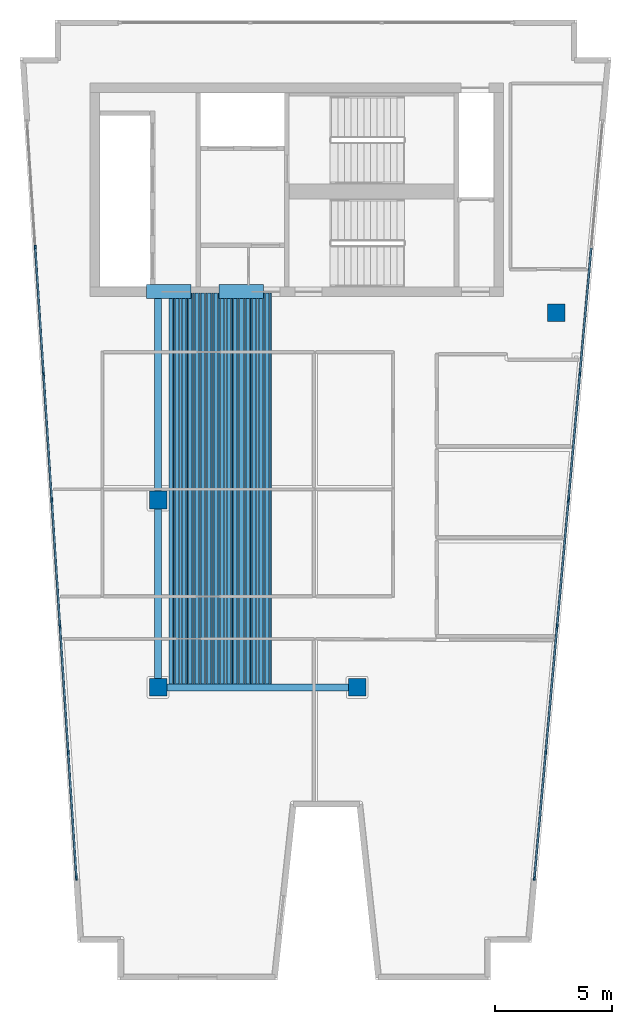
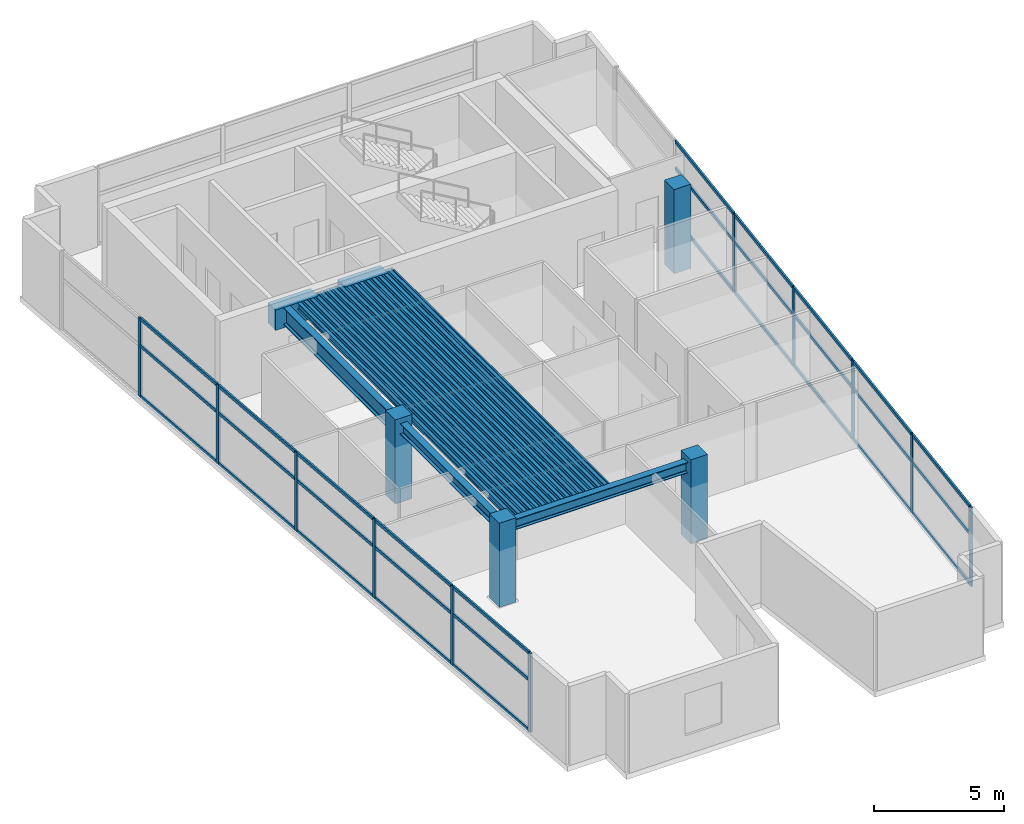
# One storey, part 1 of 7: 41 members, 37 beams, 4 columns, 2 elements without a shape of their own.
"""IFC4 building model written with IfcOpenShell, lengths in metres."""

from ifc_helpers import new_model, si_unit, direction, frame, origin, origin_2d, place, context, subcontext, project, spatial, rectangle, hollow_rectangle, i_section, extrude, material, layer, layer_set, material_profile, profile_set, type_object, element, aggregate, save


model = new_model("IFC4")

# Units and contexts
model_context = context("Model", 3, precision=1e-05, world=origin(), true_north=direction((0.0, 1.0)))
body_context = subcontext(model_context, "Body", "Model", "MODEL_VIEW")
ifc_project = project(units=[si_unit("LENGTHUNIT", "METRE"), si_unit("AREAUNIT", "SQUARE_METRE"), si_unit("VOLUMEUNIT", "CUBIC_METRE"), si_unit("PLANEANGLEUNIT", "RADIAN"), si_unit("MASSUNIT", "GRAM", prefix="KILO")], contexts=[model_context])

# Site, building, storey
site_placement = place(None, origin())
site = spatial("IfcSite", under=ifc_project, at=site_placement, CompositionType="ELEMENT")
building_placement = place(site_placement, origin())
building = spatial("IfcBuilding", under=site, at=building_placement, Name="Caeloran Harvest Quay", CompositionType="ELEMENT")
storey_placement = place(building_placement, frame((0.0, 0.0, 312.0)))
storey = spatial("IfcBuildingStorey", under=building, at=storey_placement, Name="L75", CompositionType="ELEMENT", Elevation=312.0)

# Columns
ifc_material_1 = material(Name="Concrete C60/75", Category="concrete")
ifc_material_profile_1 = material_profile(ifc_material_1, rectangle(XDim=0.75, YDim=0.75, at=origin_2d()), Name="RC 750x750")
ifc_profile_set_1 = profile_set([ifc_material_profile_1], Name="Concrete C60/75")
column_type = type_object("IfcColumnType", Name="COL-MC-5-RC_750x750", PredefinedType="COLUMN", material=ifc_profile_set_1)
for number, where, z_axis, x_axis, name in (
    (1, (8.5, 15.0, 0.0), (0.0, 0.0, 1.0), (1.0, 0.0, 0.0), "L75 Structural Column (8.5, 15.0)"),
    (2, (8.5, 23.0, 0.0), (0.0, 0.0, 1.0), (1.0, 0.0, 0.0), "L75 Structural Column (8.5, 23.0)"),
    (3, (17.0, 15.0, 0.0), (0.0, 0.0, 1.0), (1.0, 0.0, 0.0), "L75 Structural Column (17.0, 15.0)"),
    (4, (25.5, 31.0, 0.0), (0.0, 0.0, 1.0), (1.0, 0.0, 0.0), "L75 Structural Column (25.5, 31.0)"),
):
    element("IfcColumn", number, at=place(storey_placement, frame(where, z_axis=z_axis, x_axis=x_axis)), inside=storey, type_object=column_type, Name=name, PredefinedType="COLUMN", context=body_context, shape_type="SweptSolid", body=[
        extrude(rectangle(XDim=0.75, YDim=0.75, at=origin_2d()), origin(), (0.0, 0.0, 1.0), 3.949951171875),
    ])

# Beams
ifc_material_profile_2 = material_profile(ifc_material_1, rectangle(XDim=0.60009765625, YDim=0.949951171875, at=origin_2d()), Name="RC 600x950")
ifc_profile_set_2 = profile_set([ifc_material_profile_2], Name="Concrete C60/75")
beam_type_1 = type_object("IfcBeamType", Name="BM-CB-2-RC_600x950", PredefinedType="LINTEL", material=ifc_profile_set_2)
for number, where, z_axis, x_axis, name in (
    (5, (8.0, 31.89990234375, 3.22509765625), (1.0, 0.0, 0.0), (0.0, 1.0, 0.0), "L75 Core Coupling Beam 1"),
    (6, (11.10009765625, 31.89990234375, 3.22509765625), (1.0, 0.0, 0.0), (0.0, 1.0, 0.0), "L75 Core Coupling Beam 2"),
):
    element("IfcBeam", number, at=place(storey_placement, frame(where, z_axis=z_axis, x_axis=x_axis)), inside=storey, type_object=beam_type_1, Name=name, PredefinedType="LINTEL", context=body_context, shape_type="SweptSolid", body=[
        extrude(rectangle(XDim=0.60009765625, YDim=0.949951171875, at=origin_2d()), origin(), (0.0, 0.0, 1.0), 1.89990234375),
    ])
ifc_material_2 = material(Name="Steel S355J2", Category="steel")
ifc_material_profile_3 = material_profile(ifc_material_2, i_section(OverallWidth=0.300048828125, OverallDepth=0.800048828125, WebThickness=0.017578125, FlangeThickness=0.032958984375, FilletRadius=0.030029296875, at=origin_2d()), Name="HE 800 B")
ifc_profile_set_3 = profile_set([ifc_material_profile_3], Name="Steel S355J2")
beam_type_2 = type_object("IfcBeamType", Name="BM-PG-1-HE_800_B", PredefinedType="BEAM", material=ifc_profile_set_3)
beam_1_placement = place(storey_placement, frame((8.5, 23.0, 3.300048828125), z_axis=(0.0, 1.0, 0.0), x_axis=(-1.0, 0.0, 0.0)))
element("IfcBeam", 7, at=beam_1_placement, inside=storey, type_object=beam_type_2, Name="L75 Core South Tie Girder X=8.5", PredefinedType="BEAM", context=body_context, shape_type="SweptSolid", body=[
    extrude(i_section(OverallWidth=0.300048828125, OverallDepth=0.800048828125, WebThickness=0.017578125, FlangeThickness=0.032958984375, FilletRadius=0.030029296875, at=origin_2d()), origin(), (0.0, 0.0, 1.0), 8.85009765625),
])
ifc_material_profile_4 = material_profile(ifc_material_2, i_section(OverallWidth=0.300048828125, OverallDepth=0.5, WebThickness=0.014404296875, FlangeThickness=0.028076171875, FilletRadius=0.027099609375, at=origin_2d()), Name="HE 500 B")
ifc_profile_set_4 = profile_set([ifc_material_profile_4], Name="Steel S355J2")
beam_type_3 = type_object("IfcBeamType", Name="BM-PG-4-HE_500_B", PredefinedType="BEAM", material=ifc_profile_set_4)
beam_2_placement = place(storey_placement, frame((8.5, 15.0, 3.449951171875), z_axis=(1.0, 0.0, 0.0), x_axis=(0.0, 1.0, 0.0)))
element("IfcBeam", 8, at=beam_2_placement, inside=storey, type_object=beam_type_3, Name="L75 Primary East-West Girder Y=15.0", PredefinedType="BEAM", context=body_context, shape_type="SweptSolid", body=[
    extrude(i_section(OverallWidth=0.300048828125, OverallDepth=0.5, WebThickness=0.014404296875, FlangeThickness=0.028076171875, FilletRadius=0.027099609375, at=origin_2d()), origin(), (0.0, 0.0, 1.0), 8.5),
])
beam_3_placement = place(storey_placement, frame((8.5, 15.0, 3.449951171875), z_axis=(0.0, 1.0, 0.0), x_axis=(-1.0, 0.0, 0.0)))
element("IfcBeam", 9, at=beam_3_placement, inside=storey, type_object=beam_type_3, Name="L75 Primary North-South Girder X=8.5", PredefinedType="BEAM", context=body_context, shape_type="SweptSolid", body=[
    extrude(i_section(OverallWidth=0.300048828125, OverallDepth=0.5, WebThickness=0.014404296875, FlangeThickness=0.028076171875, FilletRadius=0.027099609375, at=origin_2d()), origin(), (0.0, 0.0, 1.0), 8.0),
])
ifc_material_profile_5 = material_profile(ifc_material_2, i_section(OverallWidth=0.14990234375, OverallDepth=0.300048828125, WebThickness=0.007080078125, FlangeThickness=0.0107421875, FilletRadius=0.014892578125, at=origin_2d()), Name="IPE 300")
ifc_profile_set_5 = profile_set([ifc_material_profile_5], Name="Steel S355J2")
beam_type_4 = type_object("IfcBeamType", Name="BM-SB-6-IPE_300", PredefinedType="JOIST", material=ifc_profile_set_5)
for number, where, z_axis, x_axis, name in (
    (10, (9.04833984375, 15.14501953125, 3.550048828125), (0.0, 1.0, 0.0), (-1.0, 0.0, 0.0), "L75 Secondary Composite Joist"),
    (11, (9.322509765625, 15.14501953125, 3.550048828125), (0.0, 1.0, 0.0), (-1.0, 0.0, 0.0), "L75 Secondary Composite Joist"),
    (12, (9.5966796875, 15.14501953125, 3.550048828125), (0.0, 1.0, 0.0), (-1.0, 0.0, 0.0), "L75 Secondary Composite Joist"),
    (13, (9.87109375, 15.14501953125, 3.550048828125), (0.0, 1.0, 0.0), (-1.0, 0.0, 0.0), "L75 Secondary Composite Joist"),
    (14, (10.145263671875, 15.14501953125, 3.550048828125), (0.0, 1.0, 0.0), (-1.0, 0.0, 0.0), "L75 Secondary Composite Joist"),
    (15, (10.41943359375, 15.14501953125, 3.550048828125), (0.0, 1.0, 0.0), (-1.0, 0.0, 0.0), "L75 Secondary Composite Joist"),
    (16, (10.693603515625, 15.14501953125, 3.550048828125), (0.0, 1.0, 0.0), (-1.0, 0.0, 0.0), "L75 Secondary Composite Joist"),
    (17, (10.9677734375, 15.14501953125, 3.550048828125), (0.0, 1.0, 0.0), (-1.0, 0.0, 0.0), "L75 Secondary Composite Joist"),
    (18, (11.241943359375, 15.14501953125, 3.550048828125), (0.0, 1.0, 0.0), (-1.0, 0.0, 0.0), "L75 Secondary Composite Joist"),
    (19, (11.51611328125, 15.14501953125, 3.550048828125), (0.0, 1.0, 0.0), (-1.0, 0.0, 0.0), "L75 Secondary Composite Joist"),
    (20, (11.790283203125, 15.14501953125, 3.550048828125), (0.0, 1.0, 0.0), (-1.0, 0.0, 0.0), "L75 Secondary Composite Joist"),
    (21, (12.064453125, 15.14501953125, 3.550048828125), (0.0, 1.0, 0.0), (-1.0, 0.0, 0.0), "L75 Secondary Composite Joist"),
    (22, (12.338623046875, 15.14501953125, 3.550048828125), (0.0, 1.0, 0.0), (-1.0, 0.0, 0.0), "L75 Secondary Composite Joist"),
    (23, (12.61279296875, 15.14501953125, 3.550048828125), (0.0, 1.0, 0.0), (-1.0, 0.0, 0.0), "L75 Secondary Composite Joist"),
    (24, (12.88720703125, 15.14501953125, 3.550048828125), (0.0, 1.0, 0.0), (-1.0, 0.0, 0.0), "L75 Secondary Composite Joist"),
    (25, (13.161376953125, 15.14501953125, 3.550048828125), (0.0, 1.0, 0.0), (-1.0, 0.0, 0.0), "L75 Secondary Composite Joist"),
):
    element("IfcBeam", number, at=place(storey_placement, frame(where, z_axis=z_axis, x_axis=x_axis)), inside=storey, type_object=beam_type_4, Name=name, PredefinedType="JOIST", context=body_context, shape_type="SweptSolid", body=[
        extrude(i_section(OverallWidth=0.14990234375, OverallDepth=0.300048828125, WebThickness=0.007080078125, FlangeThickness=0.0107421875, FilletRadius=0.014892578125, at=origin_2d()), origin(), (0.0, 0.0, 1.0), 16.705078125),
    ])
ifc_material_profile_6 = material_profile(ifc_material_2, hollow_rectangle(XDim=0.080078125, YDim=0.199951171875, WallThickness=0.006103515625, InnerFilletRadius=0.006103515625, OuterFilletRadius=0.009033203125, at=origin_2d()), Name="RHS 200x80x6")
ifc_profile_set_6 = profile_set([ifc_material_profile_6], Name="Steel S355J2")
beam_type_5 = type_object("IfcBeamType", Name="BM-SB-7-RHS_200x80x6", PredefinedType="JOIST", material=ifc_profile_set_6)
for number, where, z_axis, x_axis, name in (
    (26, (9.185546875, 15.14501953125, 3.60009765625), (0.0, 1.0, 0.0), (-1.0, 0.0, 0.0), "L75 Secondary Composite Joist"),
    (27, (9.459716796875, 15.14501953125, 3.60009765625), (0.0, 1.0, 0.0), (-1.0, 0.0, 0.0), "L75 Secondary Composite Joist"),
    (28, (9.73388671875, 15.14501953125, 3.60009765625), (0.0, 1.0, 0.0), (-1.0, 0.0, 0.0), "L75 Secondary Composite Joist"),
    (29, (10.008056640625, 15.14501953125, 3.60009765625), (0.0, 1.0, 0.0), (-1.0, 0.0, 0.0), "L75 Secondary Composite Joist"),
    (30, (10.2822265625, 15.14501953125, 3.60009765625), (0.0, 1.0, 0.0), (-1.0, 0.0, 0.0), "L75 Secondary Composite Joist"),
    (31, (10.556396484375, 15.14501953125, 3.60009765625), (0.0, 1.0, 0.0), (-1.0, 0.0, 0.0), "L75 Secondary Composite Joist"),
    (32, (10.83056640625, 15.14501953125, 3.60009765625), (0.0, 1.0, 0.0), (-1.0, 0.0, 0.0), "L75 Secondary Composite Joist"),
    (33, (11.104736328125, 15.14501953125, 3.60009765625), (0.0, 1.0, 0.0), (-1.0, 0.0, 0.0), "L75 Secondary Composite Joist"),
    (34, (11.37890625, 15.14501953125, 3.60009765625), (0.0, 1.0, 0.0), (-1.0, 0.0, 0.0), "L75 Secondary Composite Joist"),
    (35, (11.6533203125, 15.14501953125, 3.60009765625), (0.0, 1.0, 0.0), (-1.0, 0.0, 0.0), "L75 Secondary Composite Joist"),
    (36, (11.927490234375, 15.14501953125, 3.60009765625), (0.0, 1.0, 0.0), (-1.0, 0.0, 0.0), "L75 Secondary Composite Joist"),
    (37, (12.20166015625, 15.14501953125, 3.60009765625), (0.0, 1.0, 0.0), (-1.0, 0.0, 0.0), "L75 Secondary Composite Joist"),
    (38, (12.475830078125, 15.14501953125, 3.60009765625), (0.0, 1.0, 0.0), (-1.0, 0.0, 0.0), "L75 Secondary Composite Joist"),
    (39, (12.75, 15.14501953125, 3.60009765625), (0.0, 1.0, 0.0), (-1.0, 0.0, 0.0), "L75 Secondary Composite Joist"),
    (40, (13.024169921875, 15.14501953125, 3.60009765625), (0.0, 1.0, 0.0), (-1.0, 0.0, 0.0), "L75 Secondary Composite Joist"),
    (41, (13.29833984375, 15.14501953125, 3.60009765625), (0.0, 1.0, 0.0), (-1.0, 0.0, 0.0), "L75 Secondary Composite Joist"),
):
    element("IfcBeam", number, at=place(storey_placement, frame(where, z_axis=z_axis, x_axis=x_axis)), inside=storey, type_object=beam_type_5, Name=name, PredefinedType="JOIST", context=body_context, shape_type="SweptSolid", body=[
        extrude(hollow_rectangle(XDim=0.080078125, YDim=0.199951171875, WallThickness=0.006103515625, InnerFilletRadius=0.006103515625, OuterFilletRadius=0.009033203125, at=origin_2d()), origin(), (0.0, 0.0, 1.0), 16.705078125),
    ])

# Curtain wall, members
ifc_material_3 = material(Name="Aluminium 6063-T6 and Low-E Glazing", Category="aluminium")
ifc_layer = layer(ifc_material_3, 0.239990234375, Name="Aluminium 6063-T6 and Low-E Glazing")
ifc_layer_set = layer_set([ifc_layer], Name="Aluminium 6063-T6 and Low-E Glazing")
curtain_wall_type = type_object("IfcCurtainWallType", Name="CW-SYS-CW-7", PredefinedType="USERDEFINED", material=ifc_layer_set)
curtain_wall_1_placement = place(storey_placement, origin())
curtain_wall_1 = element("IfcCurtainWall", 42, at=curtain_wall_1_placement, inside=storey, type_object=curtain_wall_type, Name="L75 Unitised Curtain Wall CW-7 Run 3", ObjectType="CURTAIN_WALL", PredefinedType="USERDEFINED")
ifc_material_4 = material(Name="Aluminium 6063-T6", Category="aluminium")
ifc_material_profile_7 = material_profile(ifc_material_4, rectangle(XDim=0.080078125, YDim=0.179931640625, at=origin_2d()), Name="CW-MULLION-180")
ifc_profile_set_7 = profile_set([ifc_material_profile_7], Name="Aluminium 6063-T6")
member_type_1 = type_object("IfcMemberType", Name="CW-MULLION-180", PredefinedType="MULLION", material=ifc_profile_set_7)
member_1_placement = place(storey_placement, frame((5.013427734375, 6.8544921875, 0.0), z_axis=(0.0, 0.0, 1.0), x_axis=(-0.997874401106, -0.065166552901, 0.0)))
member_1 = element("IfcMember", 43, at=member_1_placement, type_object=member_type_1, Name="CW-7 mullion 1", PredefinedType="MULLION", context=body_context, shape_type="SweptSolid", body=[
    extrude(rectangle(XDim=0.080078125, YDim=0.179931640625, at=origin_2d()), origin(), (0.0, 0.0, 1.0), 3.699951171875),
])
member_2_placement = place(storey_placement, frame((4.66357421875, 12.209716796875, 0.0), z_axis=(0.0, 0.0, 1.0), x_axis=(-0.997874401106, -0.065166552901, 0.0)))
member_2 = element("IfcMember", 44, at=member_2_placement, type_object=member_type_1, Name="CW-7 mullion 2", PredefinedType="MULLION", context=body_context, shape_type="SweptSolid", body=[
    extrude(rectangle(XDim=0.080078125, YDim=0.179931640625, at=origin_2d()), origin(), (0.0, 0.0, 1.0), 3.699951171875),
])
member_3_placement = place(storey_placement, frame((4.311279296875, 17.604736328125, 0.0), z_axis=(0.0, 0.0, 1.0), x_axis=(-0.997874401106, -0.065166552901, 0.0)))
member_3 = element("IfcMember", 45, at=member_3_placement, type_object=member_type_1, Name="CW-7 mullion 3", PredefinedType="MULLION", context=body_context, shape_type="SweptSolid", body=[
    extrude(rectangle(XDim=0.080078125, YDim=0.179931640625, at=origin_2d()), origin(), (0.0, 0.0, 1.0), 3.699951171875),
])
member_4_placement = place(storey_placement, frame((3.958984375, 23.0, 0.0), z_axis=(0.0, 0.0, 1.0), x_axis=(-0.997874401106, -0.065166552901, 0.0)))
member_4 = element("IfcMember", 46, at=member_4_placement, type_object=member_type_1, Name="CW-7 mullion 4", PredefinedType="MULLION", context=body_context, shape_type="SweptSolid", body=[
    extrude(rectangle(XDim=0.080078125, YDim=0.179931640625, at=origin_2d()), origin(), (0.0, 0.0, 1.0), 3.699951171875),
])
member_5_placement = place(storey_placement, frame((3.606689453125, 28.395263671875, 0.0), z_axis=(0.0, 0.0, 1.0), x_axis=(-0.997874401106, -0.065166552901, 0.0)))
member_5 = element("IfcMember", 47, at=member_5_placement, type_object=member_type_1, Name="CW-7 mullion 5", PredefinedType="MULLION", context=body_context, shape_type="SweptSolid", body=[
    extrude(rectangle(XDim=0.080078125, YDim=0.179931640625, at=origin_2d()), origin(), (0.0, 0.0, 1.0), 3.699951171875),
])
member_6_placement = place(storey_placement, frame((3.25439453125, 33.790283203125, 0.0), z_axis=(0.0, 0.0, 1.0), x_axis=(-0.997874401106, -0.065166552901, 0.0)))
member_6 = element("IfcMember", 48, at=member_6_placement, type_object=member_type_1, Name="CW-7 mullion 6", PredefinedType="MULLION", context=body_context, shape_type="SweptSolid", body=[
    extrude(rectangle(XDim=0.080078125, YDim=0.179931640625, at=origin_2d()), origin(), (0.0, 0.0, 1.0), 3.699951171875),
])

curtain_wall_2_placement = place(storey_placement, origin())
curtain_wall_2 = element("IfcCurtainWall", 49, at=curtain_wall_2_placement, inside=storey, type_object=curtain_wall_type, Name="L75 Unitised Curtain Wall CW-7 Run 9", ObjectType="CURTAIN_WALL", PredefinedType="USERDEFINED")
member_7_placement = place(storey_placement, frame((26.517578125, 28.396728515625, 0.0), z_axis=(0.0, 0.0, 1.0), x_axis=(0.995957918918, -0.089821065146, 0.0)))
member_7 = element("IfcMember", 50, at=member_7_placement, type_object=member_type_1, Name="CW-7 mullion 3", PredefinedType="MULLION", context=body_context, shape_type="SweptSolid", body=[
    extrude(rectangle(XDim=0.080078125, YDim=0.179931640625, at=origin_2d()), origin(), (0.0, 0.0, 1.0), 3.699951171875),
])
member_8_placement = place(storey_placement, frame((26.03076171875, 23.0, 0.0), z_axis=(0.0, 0.0, 1.0), x_axis=(0.995957918918, -0.089821065146, 0.0)))
member_8 = element("IfcMember", 51, at=member_8_placement, type_object=member_type_1, Name="CW-7 mullion 4", PredefinedType="MULLION", context=body_context, shape_type="SweptSolid", body=[
    extrude(rectangle(XDim=0.080078125, YDim=0.179931640625, at=origin_2d()), origin(), (0.0, 0.0, 1.0), 3.699951171875),
])
member_9_placement = place(storey_placement, frame((25.5439453125, 17.603271484375, 0.0), z_axis=(0.0, 0.0, 1.0), x_axis=(0.995957918918, -0.089821065146, 0.0)))
member_9 = element("IfcMember", 52, at=member_9_placement, type_object=member_type_1, Name="CW-7 mullion 5", PredefinedType="MULLION", context=body_context, shape_type="SweptSolid", body=[
    extrude(rectangle(XDim=0.080078125, YDim=0.179931640625, at=origin_2d()), origin(), (0.0, 0.0, 1.0), 3.699951171875),
])
member_10_placement = place(storey_placement, frame((25.057373046875, 12.206298828125, 0.0), z_axis=(0.0, 0.0, 1.0), x_axis=(0.995957918918, -0.089821065146, 0.0)))
member_10 = element("IfcMember", 53, at=member_10_placement, type_object=member_type_1, Name="CW-7 mullion 6", PredefinedType="MULLION", context=body_context, shape_type="SweptSolid", body=[
    extrude(rectangle(XDim=0.080078125, YDim=0.179931640625, at=origin_2d()), origin(), (0.0, 0.0, 1.0), 3.699951171875),
])
member_11_placement = place(storey_placement, frame((24.57421875, 6.849365234375, 0.0), z_axis=(0.0, 0.0, 1.0), x_axis=(0.995957918918, -0.089821065146, 0.0)))
member_11 = element("IfcMember", 54, at=member_11_placement, type_object=member_type_1, Name="CW-7 mullion 7", PredefinedType="MULLION", context=body_context, shape_type="SweptSolid", body=[
    extrude(rectangle(XDim=0.080078125, YDim=0.179931640625, at=origin_2d()), origin(), (0.0, 0.0, 1.0), 3.699951171875),
])

# Member
ifc_material_profile_8 = material_profile(ifc_material_4, rectangle(XDim=0.080078125, YDim=0.14990234375, at=origin_2d()), Name="CW-TRANSOM-150")
ifc_profile_set_8 = profile_set([ifc_material_profile_8], Name="Aluminium 6063-T6")
member_type_2 = type_object("IfcMemberType", Name="CW-TRANSOM-150", PredefinedType="USERDEFINED", material=ifc_profile_set_8)
member_12_placement = place(storey_placement, frame((5.0107421875, 6.894287109375, 0.0400390625), z_axis=(-0.065161110765, 0.997874756492, 0.0), x_axis=(-0.997874756492, -0.065161110765, 0.0)))
member_12 = element("IfcMember", 55, at=member_12_placement, type_object=member_type_2, Name="CW-7 transom 1.1", ObjectType="TRANSOM", PredefinedType="USERDEFINED", context=body_context, shape_type="SweptSolid", body=[
    extrude(rectangle(XDim=0.080078125, YDim=0.14990234375, at=origin_2d()), origin(), (0.0, 0.0, 1.0), 5.28662109375),
])

member_13_placement = place(storey_placement, frame((5.0107421875, 6.894287109375, 2.39990234375), z_axis=(-0.065161110765, 0.997874756492, 0.0), x_axis=(-0.997874756492, -0.065161110765, 0.0)))
member_13 = element("IfcMember", 56, at=member_13_placement, type_object=member_type_2, Name="CW-7 transom 1.2", ObjectType="TRANSOM", PredefinedType="USERDEFINED", context=body_context, shape_type="SweptSolid", body=[
    extrude(rectangle(XDim=0.080078125, YDim=0.14990234375, at=origin_2d()), origin(), (0.0, 0.0, 1.0), 5.28662109375),
])

member_14_placement = place(storey_placement, frame((5.0107421875, 6.894287109375, 3.659912109375), z_axis=(-0.065161110765, 0.997874756492, 0.0), x_axis=(-0.997874756492, -0.065161110765, 0.0)))
member_14 = element("IfcMember", 57, at=member_14_placement, type_object=member_type_2, Name="CW-7 transom 1.3", ObjectType="TRANSOM", PredefinedType="USERDEFINED", context=body_context, shape_type="SweptSolid", body=[
    extrude(rectangle(XDim=0.080078125, YDim=0.14990234375, at=origin_2d()), origin(), (0.0, 0.0, 1.0), 5.28662109375),
])

member_15_placement = place(storey_placement, frame((4.6611328125, 12.24951171875, 0.0400390625), z_axis=(-0.065174383207, 0.997873889714, 0.0), x_axis=(-0.997873889714, -0.065174383207, 0.0)))
member_15 = element("IfcMember", 58, at=member_15_placement, type_object=member_type_2, Name="CW-7 transom 2.1", ObjectType="TRANSOM", PredefinedType="USERDEFINED", context=body_context, shape_type="SweptSolid", body=[
    extrude(rectangle(XDim=0.080078125, YDim=0.14990234375, at=origin_2d()), origin(), (0.0, 0.0, 1.0), 5.32666015625),
])

member_16_placement = place(storey_placement, frame((4.6611328125, 12.24951171875, 2.39990234375), z_axis=(-0.065174383207, 0.997873889714, 0.0), x_axis=(-0.997873889714, -0.065174383207, 0.0)))
member_16 = element("IfcMember", 59, at=member_16_placement, type_object=member_type_2, Name="CW-7 transom 2.2", ObjectType="TRANSOM", PredefinedType="USERDEFINED", context=body_context, shape_type="SweptSolid", body=[
    extrude(rectangle(XDim=0.080078125, YDim=0.14990234375, at=origin_2d()), origin(), (0.0, 0.0, 1.0), 5.32666015625),
])

member_17_placement = place(storey_placement, frame((4.6611328125, 12.24951171875, 3.659912109375), z_axis=(-0.065174383207, 0.997873889714, 0.0), x_axis=(-0.997873889714, -0.065174383207, 0.0)))
member_17 = element("IfcMember", 60, at=member_17_placement, type_object=member_type_2, Name="CW-7 transom 2.3", ObjectType="TRANSOM", PredefinedType="USERDEFINED", context=body_context, shape_type="SweptSolid", body=[
    extrude(rectangle(XDim=0.080078125, YDim=0.14990234375, at=origin_2d()), origin(), (0.0, 0.0, 1.0), 5.32666015625),
])

member_18_placement = place(storey_placement, frame((4.308837890625, 17.644775390625, 0.0400390625), z_axis=(-0.065174383207, 0.997873889714, 0.0), x_axis=(-0.997873889714, -0.065174383207, 0.0)))
member_18 = element("IfcMember", 61, at=member_18_placement, type_object=member_type_2, Name="CW-7 transom 3.1", ObjectType="TRANSOM", PredefinedType="USERDEFINED", context=body_context, shape_type="SweptSolid", body=[
    extrude(rectangle(XDim=0.080078125, YDim=0.14990234375, at=origin_2d()), origin(), (0.0, 0.0, 1.0), 5.32666015625),
])

member_19_placement = place(storey_placement, frame((4.308837890625, 17.644775390625, 2.39990234375), z_axis=(-0.065174383207, 0.997873889714, 0.0), x_axis=(-0.997873889714, -0.065174383207, 0.0)))
member_19 = element("IfcMember", 62, at=member_19_placement, type_object=member_type_2, Name="CW-7 transom 3.2", ObjectType="TRANSOM", PredefinedType="USERDEFINED", context=body_context, shape_type="SweptSolid", body=[
    extrude(rectangle(XDim=0.080078125, YDim=0.14990234375, at=origin_2d()), origin(), (0.0, 0.0, 1.0), 5.32666015625),
])

member_20_placement = place(storey_placement, frame((4.308837890625, 17.644775390625, 3.659912109375), z_axis=(-0.065174383207, 0.997873889714, 0.0), x_axis=(-0.997873889714, -0.065174383207, 0.0)))
member_20 = element("IfcMember", 63, at=member_20_placement, type_object=member_type_2, Name="CW-7 transom 3.3", ObjectType="TRANSOM", PredefinedType="USERDEFINED", context=body_context, shape_type="SweptSolid", body=[
    extrude(rectangle(XDim=0.080078125, YDim=0.14990234375, at=origin_2d()), origin(), (0.0, 0.0, 1.0), 5.32666015625),
])

member_21_placement = place(storey_placement, frame((3.956298828125, 23.039794921875, 0.0400390625), z_axis=(-0.065128744787, 0.99787686946, 0.0), x_axis=(-0.99787686946, -0.065128744787, 0.0)))
member_21 = element("IfcMember", 64, at=member_21_placement, type_object=member_type_2, Name="CW-7 transom 4.1", ObjectType="TRANSOM", PredefinedType="USERDEFINED", context=body_context, shape_type="SweptSolid", body=[
    extrude(rectangle(XDim=0.080078125, YDim=0.14990234375, at=origin_2d()), origin(), (0.0, 0.0, 1.0), 5.32666015625),
])

member_22_placement = place(storey_placement, frame((3.956298828125, 23.039794921875, 2.39990234375), z_axis=(-0.065128744787, 0.99787686946, 0.0), x_axis=(-0.99787686946, -0.065128744787, 0.0)))
member_22 = element("IfcMember", 65, at=member_22_placement, type_object=member_type_2, Name="CW-7 transom 4.2", ObjectType="TRANSOM", PredefinedType="USERDEFINED", context=body_context, shape_type="SweptSolid", body=[
    extrude(rectangle(XDim=0.080078125, YDim=0.14990234375, at=origin_2d()), origin(), (0.0, 0.0, 1.0), 5.32666015625),
])

member_23_placement = place(storey_placement, frame((3.956298828125, 23.039794921875, 3.659912109375), z_axis=(-0.065128744787, 0.99787686946, 0.0), x_axis=(-0.99787686946, -0.065128744787, 0.0)))
member_23 = element("IfcMember", 66, at=member_23_placement, type_object=member_type_2, Name="CW-7 transom 4.3", ObjectType="TRANSOM", PredefinedType="USERDEFINED", context=body_context, shape_type="SweptSolid", body=[
    extrude(rectangle(XDim=0.080078125, YDim=0.14990234375, at=origin_2d()), origin(), (0.0, 0.0, 1.0), 5.32666015625),
])

member_24_placement = place(storey_placement, frame((3.60400390625, 28.43505859375, 0.0400390625), z_axis=(-0.065174383207, 0.997873889714, 0.0), x_axis=(-0.997873889714, -0.065174383207, 0.0)))
member_24 = element("IfcMember", 67, at=member_24_placement, type_object=member_type_2, Name="CW-7 transom 5.1", ObjectType="TRANSOM", PredefinedType="USERDEFINED", context=body_context, shape_type="SweptSolid", body=[
    extrude(rectangle(XDim=0.080078125, YDim=0.14990234375, at=origin_2d()), origin(), (0.0, 0.0, 1.0), 5.32666015625),
])

member_25_placement = place(storey_placement, frame((3.60400390625, 28.43505859375, 2.39990234375), z_axis=(-0.065174383207, 0.997873889714, 0.0), x_axis=(-0.997873889714, -0.065174383207, 0.0)))
member_25 = element("IfcMember", 68, at=member_25_placement, type_object=member_type_2, Name="CW-7 transom 5.2", ObjectType="TRANSOM", PredefinedType="USERDEFINED", context=body_context, shape_type="SweptSolid", body=[
    extrude(rectangle(XDim=0.080078125, YDim=0.14990234375, at=origin_2d()), origin(), (0.0, 0.0, 1.0), 5.32666015625),
])

member_26_placement = place(storey_placement, frame((3.60400390625, 28.43505859375, 3.659912109375), z_axis=(-0.065174383207, 0.997873889714, 0.0), x_axis=(-0.997873889714, -0.065174383207, 0.0)))
member_26 = element("IfcMember", 69, at=member_26_placement, type_object=member_type_2, Name="CW-7 transom 5.3", ObjectType="TRANSOM", PredefinedType="USERDEFINED", context=body_context, shape_type="SweptSolid", body=[
    extrude(rectangle(XDim=0.080078125, YDim=0.14990234375, at=origin_2d()), origin(), (0.0, 0.0, 1.0), 5.32666015625),
])

aggregate(curtain_wall_1, [member_1, member_2, member_3, member_4, member_5, member_6, member_12, member_13, member_14, member_15, member_16, member_17, member_18, member_19, member_20, member_21, member_22, member_23, member_24, member_25, member_26])

member_27_placement = place(storey_placement, frame((27.00048828125, 33.75390625, 0.0400390625), z_axis=(-0.089814159323, -0.9959585417, 0.0), x_axis=(0.9959585417, -0.089814159323, 0.0)))
member_27 = element("IfcMember", 70, at=member_27_placement, type_object=member_type_2, Name="CW-7 transom 2.1", ObjectType="TRANSOM", PredefinedType="USERDEFINED", context=body_context, shape_type="SweptSolid", body=[
    extrude(rectangle(XDim=0.080078125, YDim=0.14990234375, at=origin_2d()), origin(), (0.0, 0.0, 1.0), 5.338623046875),
])

member_28_placement = place(storey_placement, frame((27.00048828125, 33.75390625, 2.39990234375), z_axis=(-0.089814159323, -0.9959585417, 0.0), x_axis=(0.9959585417, -0.089814159323, 0.0)))
member_28 = element("IfcMember", 71, at=member_28_placement, type_object=member_type_2, Name="CW-7 transom 2.2", ObjectType="TRANSOM", PredefinedType="USERDEFINED", context=body_context, shape_type="SweptSolid", body=[
    extrude(rectangle(XDim=0.080078125, YDim=0.14990234375, at=origin_2d()), origin(), (0.0, 0.0, 1.0), 5.338623046875),
])

member_29_placement = place(storey_placement, frame((27.00048828125, 33.75390625, 3.659912109375), z_axis=(-0.089814159323, -0.9959585417, 0.0), x_axis=(0.9959585417, -0.089814159323, 0.0)))
member_29 = element("IfcMember", 72, at=member_29_placement, type_object=member_type_2, Name="CW-7 transom 2.3", ObjectType="TRANSOM", PredefinedType="USERDEFINED", context=body_context, shape_type="SweptSolid", body=[
    extrude(rectangle(XDim=0.080078125, YDim=0.14990234375, at=origin_2d()), origin(), (0.0, 0.0, 1.0), 5.338623046875),
])

member_30_placement = place(storey_placement, frame((26.513916015625, 28.35693359375, 0.0400390625), z_axis=(-0.089814159323, -0.9959585417, 0.0), x_axis=(0.9959585417, -0.089814159323, 0.0)))
member_30 = element("IfcMember", 73, at=member_30_placement, type_object=member_type_2, Name="CW-7 transom 3.1", ObjectType="TRANSOM", PredefinedType="USERDEFINED", context=body_context, shape_type="SweptSolid", body=[
    extrude(rectangle(XDim=0.080078125, YDim=0.14990234375, at=origin_2d()), origin(), (0.0, 0.0, 1.0), 5.338623046875),
])

member_31_placement = place(storey_placement, frame((26.513916015625, 28.35693359375, 2.39990234375), z_axis=(-0.089814159323, -0.9959585417, 0.0), x_axis=(0.9959585417, -0.089814159323, 0.0)))
member_31 = element("IfcMember", 74, at=member_31_placement, type_object=member_type_2, Name="CW-7 transom 3.2", ObjectType="TRANSOM", PredefinedType="USERDEFINED", context=body_context, shape_type="SweptSolid", body=[
    extrude(rectangle(XDim=0.080078125, YDim=0.14990234375, at=origin_2d()), origin(), (0.0, 0.0, 1.0), 5.338623046875),
])

member_32_placement = place(storey_placement, frame((26.513916015625, 28.35693359375, 3.659912109375), z_axis=(-0.089814159323, -0.9959585417, 0.0), x_axis=(0.9959585417, -0.089814159323, 0.0)))
member_32 = element("IfcMember", 75, at=member_32_placement, type_object=member_type_2, Name="CW-7 transom 3.3", ObjectType="TRANSOM", PredefinedType="USERDEFINED", context=body_context, shape_type="SweptSolid", body=[
    extrude(rectangle(XDim=0.080078125, YDim=0.14990234375, at=origin_2d()), origin(), (0.0, 0.0, 1.0), 5.338623046875),
])

member_33_placement = place(storey_placement, frame((26.027099609375, 22.960205078125, 0.0400390625), z_axis=(-0.089814159323, -0.9959585417, 0.0), x_axis=(0.9959585417, -0.089814159323, 0.0)))
member_33 = element("IfcMember", 76, at=member_33_placement, type_object=member_type_2, Name="CW-7 transom 4.1", ObjectType="TRANSOM", PredefinedType="USERDEFINED", context=body_context, shape_type="SweptSolid", body=[
    extrude(rectangle(XDim=0.080078125, YDim=0.14990234375, at=origin_2d()), origin(), (0.0, 0.0, 1.0), 5.338623046875),
])

member_34_placement = place(storey_placement, frame((26.027099609375, 22.960205078125, 2.39990234375), z_axis=(-0.089814159323, -0.9959585417, 0.0), x_axis=(0.9959585417, -0.089814159323, 0.0)))
member_34 = element("IfcMember", 77, at=member_34_placement, type_object=member_type_2, Name="CW-7 transom 4.2", ObjectType="TRANSOM", PredefinedType="USERDEFINED", context=body_context, shape_type="SweptSolid", body=[
    extrude(rectangle(XDim=0.080078125, YDim=0.14990234375, at=origin_2d()), origin(), (0.0, 0.0, 1.0), 5.338623046875),
])

member_35_placement = place(storey_placement, frame((26.027099609375, 22.960205078125, 3.659912109375), z_axis=(-0.089814159323, -0.9959585417, 0.0), x_axis=(0.9959585417, -0.089814159323, 0.0)))
member_35 = element("IfcMember", 78, at=member_35_placement, type_object=member_type_2, Name="CW-7 transom 4.3", ObjectType="TRANSOM", PredefinedType="USERDEFINED", context=body_context, shape_type="SweptSolid", body=[
    extrude(rectangle(XDim=0.080078125, YDim=0.14990234375, at=origin_2d()), origin(), (0.0, 0.0, 1.0), 5.338623046875),
])

member_36_placement = place(storey_placement, frame((25.54052734375, 17.563232421875, 0.0400390625), z_axis=(-0.089859520381, -0.995954450061, 0.0), x_axis=(0.995954450061, -0.089859520381, 0.0)))
member_36 = element("IfcMember", 79, at=member_36_placement, type_object=member_type_2, Name="CW-7 transom 5.1", ObjectType="TRANSOM", PredefinedType="USERDEFINED", context=body_context, shape_type="SweptSolid", body=[
    extrude(rectangle(XDim=0.080078125, YDim=0.14990234375, at=origin_2d()), origin(), (0.0, 0.0, 1.0), 5.338623046875),
])

member_37_placement = place(storey_placement, frame((25.54052734375, 17.563232421875, 2.39990234375), z_axis=(-0.089859520381, -0.995954450061, 0.0), x_axis=(0.995954450061, -0.089859520381, 0.0)))
member_37 = element("IfcMember", 80, at=member_37_placement, type_object=member_type_2, Name="CW-7 transom 5.2", ObjectType="TRANSOM", PredefinedType="USERDEFINED", context=body_context, shape_type="SweptSolid", body=[
    extrude(rectangle(XDim=0.080078125, YDim=0.14990234375, at=origin_2d()), origin(), (0.0, 0.0, 1.0), 5.338623046875),
])

member_38_placement = place(storey_placement, frame((25.54052734375, 17.563232421875, 3.659912109375), z_axis=(-0.089859520381, -0.995954450061, 0.0), x_axis=(0.995954450061, -0.089859520381, 0.0)))
member_38 = element("IfcMember", 81, at=member_38_placement, type_object=member_type_2, Name="CW-7 transom 5.3", ObjectType="TRANSOM", PredefinedType="USERDEFINED", context=body_context, shape_type="SweptSolid", body=[
    extrude(rectangle(XDim=0.080078125, YDim=0.14990234375, at=origin_2d()), origin(), (0.0, 0.0, 1.0), 5.338623046875),
])

member_39_placement = place(storey_placement, frame((25.0537109375, 12.16650390625, 0.0400390625), z_axis=(-0.089800407778, -0.995959781699, 0.0), x_axis=(0.995959781699, -0.089800407778, 0.0)))
member_39 = element("IfcMember", 82, at=member_39_placement, type_object=member_type_2, Name="CW-7 transom 6.1", ObjectType="TRANSOM", PredefinedType="USERDEFINED", context=body_context, shape_type="SweptSolid", body=[
    extrude(rectangle(XDim=0.080078125, YDim=0.14990234375, at=origin_2d()), origin(), (0.0, 0.0, 1.0), 5.298828125),
])

member_40_placement = place(storey_placement, frame((25.0537109375, 12.16650390625, 2.39990234375), z_axis=(-0.089800407778, -0.995959781699, 0.0), x_axis=(0.995959781699, -0.089800407778, 0.0)))
member_40 = element("IfcMember", 83, at=member_40_placement, type_object=member_type_2, Name="CW-7 transom 6.2", ObjectType="TRANSOM", PredefinedType="USERDEFINED", context=body_context, shape_type="SweptSolid", body=[
    extrude(rectangle(XDim=0.080078125, YDim=0.14990234375, at=origin_2d()), origin(), (0.0, 0.0, 1.0), 5.298828125),
])

member_41_placement = place(storey_placement, frame((25.0537109375, 12.16650390625, 3.659912109375), z_axis=(-0.089800407778, -0.995959781699, 0.0), x_axis=(0.995959781699, -0.089800407778, 0.0)))
member_41 = element("IfcMember", 84, at=member_41_placement, type_object=member_type_2, Name="CW-7 transom 6.3", ObjectType="TRANSOM", PredefinedType="USERDEFINED", context=body_context, shape_type="SweptSolid", body=[
    extrude(rectangle(XDim=0.080078125, YDim=0.14990234375, at=origin_2d()), origin(), (0.0, 0.0, 1.0), 5.298828125),
])

aggregate(curtain_wall_2, [member_7, member_8, member_9, member_10, member_11, member_27, member_28, member_29, member_30, member_31, member_32, member_33, member_34, member_35, member_36, member_37, member_38, member_39, member_40, member_41])

save(model, "model.ifc")
